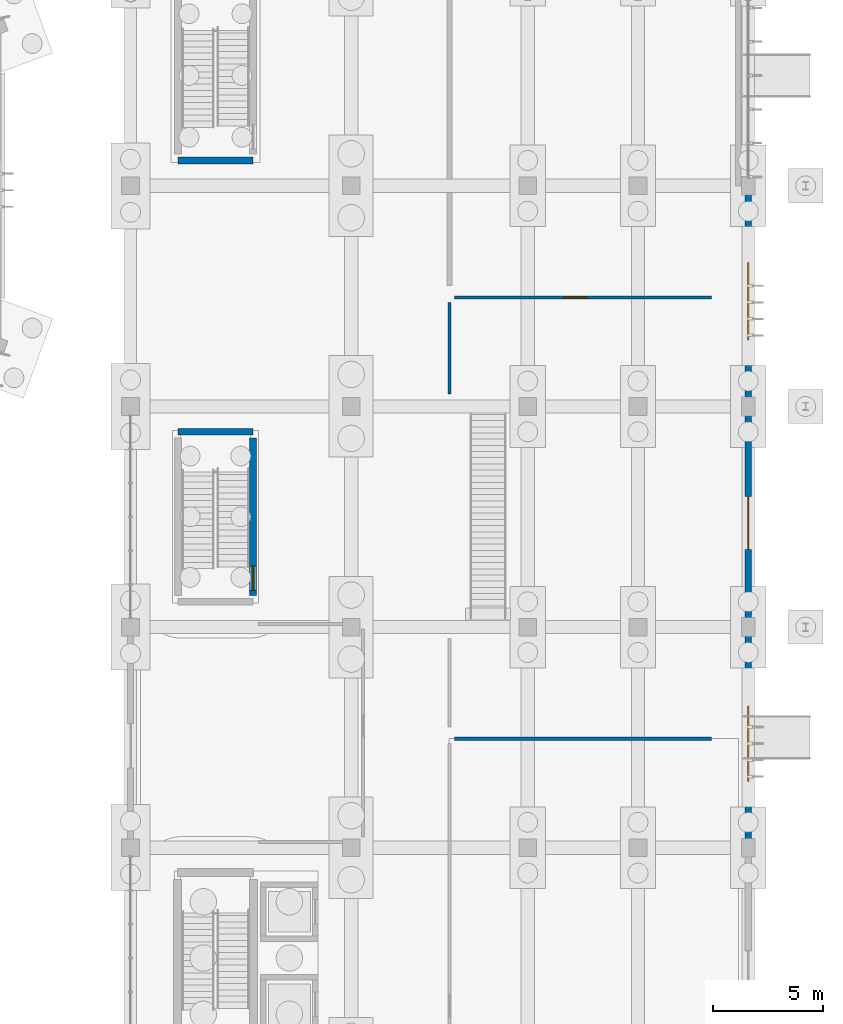
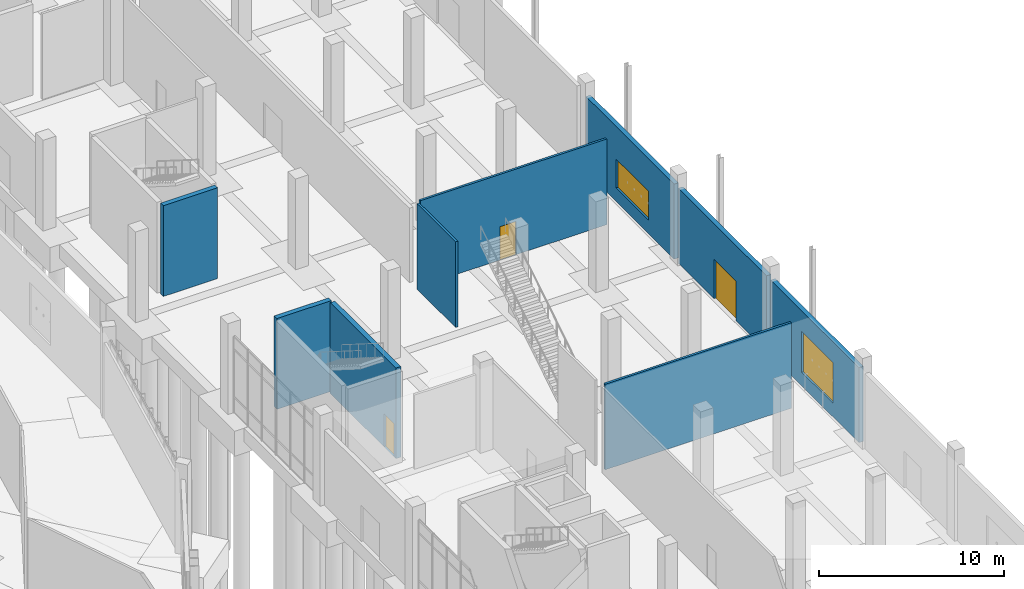
# One storey, part 89 of 140: 9 walls, 3 doors, 2 windows, 5 openings.
"""IFC4 building model written with IfcOpenShell, lengths in metres."""

from ifc_helpers import new_model, si_unit, direction, frame, frame_2d, origin, place, context, subcontext, project, spatial, rectangle, extrude, material, layer, layer_set, type_object, element, fill, save


model = new_model("IFC4")

# Units and contexts
model_context = context("Model", 3, precision=1e-05, world=origin(), true_north=direction((0.0, 1.0)))
body_context = subcontext(model_context, "Body", "Model", "MODEL_VIEW")
ifc_project = project(units=[si_unit("LENGTHUNIT", "METRE"), si_unit("AREAUNIT", "SQUARE_METRE"), si_unit("VOLUMEUNIT", "CUBIC_METRE"), si_unit("PLANEANGLEUNIT", "RADIAN"), si_unit("MASSUNIT", "GRAM", prefix="KILO")], contexts=[model_context])

# Site, building, storey
site_placement = place(None, origin())
site = spatial("IfcSite", under=ifc_project, at=site_placement, CompositionType="ELEMENT")
building_placement = place(site_placement, origin())
building = spatial("IfcBuilding", under=site, at=building_placement, Name="Corvandel Quay Wholesale Market", CompositionType="ELEMENT")
storey_placement = place(building_placement, origin())
storey = spatial("IfcBuildingStorey", under=building, at=storey_placement, Name="L00", CompositionType="ELEMENT", Elevation=0.0)

# Wall, opening, window
ifc_material_1 = material(Name="Buff-pigmented precast concrete C45/55", Category="concrete")
ifc_layer_1 = layer(ifc_material_1, 0.280029296875)
ifc_layer_set_1 = layer_set([ifc_layer_1], Name="Buff-pigmented precast concrete C45/55")
wall_type_1 = type_object("IfcWallType", Name="Colonnade Spandrel Precast Wall EW07 280", PredefinedType="SOLIDWALL", material=ifc_layer_set_1)
wall_1_placement = place(storey_placement, frame((248.0, 30.219970703125, 0.0), z_axis=(0.0, 0.0, 1.0), x_axis=(0.0, 1.0, 0.0)))
wall_1 = element("IfcWall", 1, at=wall_1_placement, inside=storey, type_object=wall_type_1, Name="Exterior Wall EW-0333", PredefinedType="SOLIDWALL", context=body_context, shape_type="SweptSolid", body=[
    extrude(rectangle(XDim=9.56005859375, YDim=0.280029296875, at=frame_2d((4.780029296875, 0.0))), origin(), (0.0, 0.0, 1.0), 4.9599609375),
])
opening_1_placement = place(wall_1_placement, frame((2.800048828125, 0.0, 0.89990234375)))
opening_1 = element("IfcOpeningElement", 2, at=opening_1_placement, cuts=wall_1, Name="Opening L00-W077", PredefinedType="OPENING", context=body_context, shape_type="SweptSolid", body=[
    extrude(rectangle(XDim=3.39990234375, YDim=2.699951171875, at=frame_2d((1.699951171875, 1.35009765625))), frame((0.0, 0.14990234375, 0.0), z_axis=(0.0, -1.0, 0.0), x_axis=(1.0, 0.0, 0.0)), (0.0, 0.0, 1.0), 0.300048828125),
])
ifc_material_2 = material(Name="Thermally broken bronze anodised aluminium and solar-control low-E double glazing", Category="aluminium")
window_type_1 = type_object("IfcWindowType", Name="Waterfront Cafe Picture Window WN17 3400x2700", PartitioningType="SINGLE_PANEL", PredefinedType="WINDOW", material=ifc_material_2)
window_1_placement = place(opening_1_placement, origin())
window_1 = element("IfcWindow", 3, at=window_1_placement, inside=storey, type_object=window_type_1, Name="Window L00-W077", OverallHeight=2.699951171875, OverallWidth=3.39990234375, PartitioningType="SINGLE_PANEL", PredefinedType="WINDOW", context=body_context, shape_type="SweptSolid", body=[
    extrude(rectangle(XDim=3.39990234375, YDim=2.699951171875, at=frame_2d((1.699951171875, 1.35009765625))), frame((0.0, 0.030029296875, 0.0), z_axis=(0.0, -1.0, 0.0), x_axis=(1.0, 0.0, 0.0)), (0.0, 0.0, 1.0), 0.06005859375),
])
fill(opening_1, window_1)

# Wall, opening, door
wall_2_placement = place(storey_placement, frame((248.0, 40.219970703125, 0.0), z_axis=(0.0, 0.0, 1.0), x_axis=(0.0, 1.0, 0.0)))
wall_2 = element("IfcWall", 4, at=wall_2_placement, inside=storey, type_object=wall_type_1, Name="Exterior Wall EW-0335", PredefinedType="SOLIDWALL", context=body_context, shape_type="SweptSolid", body=[
    extrude(rectangle(XDim=9.56005859375, YDim=0.280029296875, at=frame_2d((4.780029296875, 0.0))), origin(), (0.0, 0.0, 1.0), 4.9599609375),
])
opening_2_placement = place(wall_2_placement, frame((3.300048828125, 0.0, 0.0)))
opening_2 = element("IfcOpeningElement", 5, at=opening_2_placement, cuts=wall_2, Name="Opening L00-D052", PredefinedType="OPENING", context=body_context, shape_type="SweptSolid", body=[
    extrude(rectangle(XDim=2.39990234375, YDim=2.60009765625, at=frame_2d((1.199951171875, 1.300048828125))), frame((0.0, 0.14990234375, 0.0), z_axis=(0.0, -1.0, 0.0), x_axis=(1.0, 0.0, 0.0)), (0.0, 0.0, 1.0), 0.300048828125),
])
ifc_material_3 = material(Name="Bronze anodised aluminium and laminated glass", Category="aluminium")
door_type_1 = type_object("IfcDoorType", Name="Main Market Double Entrance Door ED01 2400x2600", OperationType="DOUBLE_DOOR_SINGLE_SWING", PredefinedType="DOOR", material=ifc_material_3)
door_1_placement = place(opening_2_placement, origin())
door_1 = element("IfcDoor", 6, at=door_1_placement, inside=storey, type_object=door_type_1, Name="Promenade Entrance 40", OperationType="DOUBLE_DOOR_SINGLE_SWING", OverallHeight=2.60009765625, OverallWidth=2.39990234375, PredefinedType="DOOR", context=body_context, shape_type="SweptSolid", body=[
    extrude(rectangle(XDim=2.39990234375, YDim=2.60009765625, at=frame_2d((1.199951171875, 1.300048828125))), frame((0.0, 0.02490234375, 0.0), z_axis=(0.0, -1.0, 0.0), x_axis=(1.0, 0.0, 0.0)), (0.0, 0.0, 1.0), 0.050048828125),
])
fill(opening_2, door_1)

# Wall, opening, window
wall_3_placement = place(storey_placement, frame((248.0, 50.219970703125, 0.0), z_axis=(0.0, 0.0, 1.0), x_axis=(0.0, 1.0, 0.0)))
wall_3 = element("IfcWall", 7, at=wall_3_placement, inside=storey, type_object=wall_type_1, Name="Exterior Wall EW-0336", PredefinedType="SOLIDWALL", context=body_context, shape_type="SweptSolid", body=[
    extrude(rectangle(XDim=9.56005859375, YDim=0.280029296875, at=frame_2d((4.780029296875, 0.0))), origin(), (0.0, 0.0, 1.0), 4.9599609375),
])
opening_3_placement = place(wall_3_placement, frame((2.800048828125, 0.0, 0.89990234375)))
opening_3 = element("IfcOpeningElement", 8, at=opening_3_placement, cuts=wall_3, Name="Opening L00-W078", PredefinedType="OPENING", context=body_context, shape_type="SweptSolid", body=[
    extrude(rectangle(XDim=3.5, YDim=1.89990234375, at=frame_2d((1.75, 0.949951171875))), frame((0.0, 0.14990234375, 0.0), z_axis=(0.0, -1.0, 0.0), x_axis=(1.0, 0.0, 0.0)), (0.0, 0.0, 1.0), 0.300048828125),
])
window_type_2 = type_object("IfcWindowType", Name="Harbour Foyer Clerestory WN30 3500x1900", PartitioningType="SINGLE_PANEL", PredefinedType="WINDOW", material=ifc_material_2)
window_2_placement = place(opening_3_placement, origin())
window_2 = element("IfcWindow", 9, at=window_2_placement, inside=storey, type_object=window_type_2, Name="Window L00-W078", OverallHeight=1.89990234375, OverallWidth=3.5, PartitioningType="SINGLE_PANEL", PredefinedType="WINDOW", context=body_context, shape_type="SweptSolid", body=[
    extrude(rectangle(XDim=3.5, YDim=1.89990234375, at=frame_2d((1.75, 0.949951171875))), frame((0.0, 0.030029296875, 0.0), z_axis=(0.0, -1.0, 0.0), x_axis=(1.0, 0.0, 0.0)), (0.0, 0.0, 1.0), 0.06005859375),
])
fill(opening_3, window_2)

# Walls
ifc_material_4 = material(Name="Double-layer acoustic gypsum stud partition")
ifc_layer_2 = layer(ifc_material_4, 0.139892578125)
ifc_layer_set_2 = layer_set([ifc_layer_2], Name="Double-layer acoustic gypsum stud partition")
wall_type_2 = type_object("IfcWallType", Name="Office Acoustic Partition PT07 140", PredefinedType="PARTITIONING", material=ifc_layer_set_2)
wall_4_placement = place(storey_placement, frame((234.679931640625, 34.93994140625, 0.0), z_axis=(0.0, 0.0, 1.0), x_axis=(1.0, 0.0, 0.0)))
element("IfcWall", 10, at=wall_4_placement, inside=storey, type_object=wall_type_2, Name="Interior Wall IW-0852", PredefinedType="PARTITIONING", context=body_context, shape_type="SweptSolid", body=[
    extrude(rectangle(XDim=11.650146484375, YDim=0.139892578125, at=frame_2d((5.8251953125, 0.0))), origin(), (0.0, 0.0, 1.0), 5.659912109375),
])
wall_5_placement = place(storey_placement, frame((234.4599609375, 50.556396484375, 0.0), z_axis=(0.0, 0.0, 1.0), x_axis=(0.0, 1.0, 0.0)))
element("IfcWall", 11, at=wall_5_placement, inside=storey, type_object=wall_type_2, Name="Interior Wall IW-0854", PredefinedType="PARTITIONING", context=body_context, shape_type="SweptSolid", body=[
    extrude(rectangle(XDim=4.16357421875, YDim=0.139892578125, at=frame_2d((2.081787109375, 0.0))), origin(), (0.0, 0.0, 1.0), 5.659912109375),
])

# Wall, opening, door
wall_6_placement = place(storey_placement, frame((234.679931640625, 54.93994140625, 0.0), z_axis=(0.0, 0.0, 1.0), x_axis=(1.0, 0.0, 0.0)))
wall_6 = element("IfcWall", 12, at=wall_6_placement, inside=storey, type_object=wall_type_2, Name="Interior Wall IW-0855", PredefinedType="PARTITIONING", context=body_context, shape_type="SweptSolid", body=[
    extrude(rectangle(XDim=11.650146484375, YDim=0.139892578125, at=frame_2d((5.8251953125, 0.0))), origin(), (0.0, 0.0, 1.0), 5.659912109375),
])
opening_4_placement = place(wall_6_placement, frame((4.97509765625, 0.0, 0.0)))
opening_4 = element("IfcOpeningElement", 13, at=opening_4_placement, cuts=wall_6, Name="Opening L00-D123", PredefinedType="OPENING", context=body_context, shape_type="SweptSolid", body=[
    extrude(rectangle(XDim=1.0, YDim=2.199951171875, at=frame_2d((0.5, 1.10009765625))), frame((0.0, 0.079833984375, 0.0), z_axis=(0.0, -1.0, 0.0), x_axis=(1.0, 0.0, 0.0)), (0.0, 0.0, 1.0), 0.159912109375),
])
ifc_material_5 = material(Name="Stained oak solid-core acoustic timber", Category="wood")
door_type_2 = type_object("IfcDoorType", Name="Office Entry Door ID09 1000x2200L", OperationType="SINGLE_SWING_LEFT", PredefinedType="DOOR", material=ifc_material_5)
door_2_placement = place(opening_4_placement, origin())
door_2 = element("IfcDoor", 14, at=door_2_placement, inside=storey, type_object=door_type_2, Name="Waterfront Market Entrance Foyer Door", OperationType="SINGLE_SWING_LEFT", OverallHeight=2.199951171875, OverallWidth=1.0, PredefinedType="DOOR", context=body_context, shape_type="SweptSolid", body=[
    extrude(rectangle(XDim=1.0, YDim=2.199951171875, at=frame_2d((0.5, 1.10009765625))), frame((0.0, 0.02490234375, 0.0), z_axis=(0.0, -1.0, 0.0), x_axis=(1.0, 0.0, 0.0)), (0.0, 0.0, 1.0), 0.050048828125),
])
fill(opening_4, door_2)

# Wall
ifc_material_6 = material(Name="Concrete C40/50", Category="concrete")
ifc_layer_3 = layer(ifc_material_6, 0.300048828125)
ifc_layer_set_3 = layer_set([ifc_layer_3], Name="Concrete C40/50")
wall_type_3 = type_object("IfcWallType", Name="Stair Shaft Shear Wall SW02 300", PredefinedType="SHEAR", material=ifc_layer_set_3)
wall_7_placement = place(storey_placement, frame((222.14990234375, 48.85009765625, 0.0), z_axis=(0.0, 0.0, 1.0), x_axis=(1.0, 0.0, 0.0)))
element("IfcWall", 15, at=wall_7_placement, inside=storey, type_object=wall_type_3, Name="Shear Wall IW-0178", PredefinedType="SHEAR", context=body_context, shape_type="SweptSolid", body=[
    extrude(rectangle(XDim=3.400146484375, YDim=0.300048828125, at=frame_2d((1.7001953125, 0.0))), origin(), (0.0, 0.0, 1.0), 6.0),
])

# Wall, opening, door
wall_8_placement = place(storey_placement, frame((225.550048828125, 41.43994140625, 0.0), z_axis=(0.0, 0.0, 1.0), x_axis=(0.0, 1.0, 0.0)))
wall_8 = element("IfcWall", 16, at=wall_8_placement, inside=storey, type_object=wall_type_3, Name="Shear Wall IW-0180", PredefinedType="SHEAR", context=body_context, shape_type="SweptSolid", body=[
    extrude(rectangle(XDim=7.1201171875, YDim=0.300048828125, at=frame_2d((3.56005859375, 0.0))), origin(), (0.0, 0.0, 1.0), 6.0),
])
opening_5_placement = place(wall_8_placement, frame((0.219970703125, 0.0, 0.0)))
opening_5 = element("IfcOpeningElement", 17, at=opening_5_placement, cuts=wall_8, Name="Opening L00-D072", PredefinedType="OPENING", context=body_context, shape_type="SweptSolid", body=[
    extrude(rectangle(XDim=1.10009765625, YDim=2.199951171875, at=frame_2d((0.550048828125, 1.10009765625))), frame((0.0, 0.159912109375, 0.0), z_axis=(0.0, -1.0, 0.0), x_axis=(1.0, 0.0, 0.0)), (0.0, 0.0, 1.0), 0.320068359375),
])
ifc_material_7 = material(Name="Galvanised fire-rated hollow steel", Category="steel")
door_type_3 = type_object("IfcDoorType", Name="Exit Stair Fire Door ID01 1100x2200L", OperationType="SINGLE_SWING_LEFT", PredefinedType="DOOR", material=ifc_material_7)
door_3_placement = place(opening_5_placement, origin())
door_3 = element("IfcDoor", 18, at=door_3_placement, inside=storey, type_object=door_type_3, Name="Exit Stair Door SH17-L00", OperationType="SINGLE_SWING_LEFT", OverallHeight=2.199951171875, OverallWidth=1.10009765625, PredefinedType="DOOR", context=body_context, shape_type="SweptSolid", body=[
    extrude(rectangle(XDim=1.10009765625, YDim=2.199951171875, at=frame_2d((0.550048828125, 1.10009765625))), frame((0.0, 0.02490234375, 0.0), z_axis=(0.0, -1.0, 0.0), x_axis=(1.0, 0.0, 0.0)), (0.0, 0.0, 1.0), 0.050048828125),
])
fill(opening_5, door_3)

# Wall
wall_9_placement = place(storey_placement, frame((222.14990234375, 61.14990234375, 0.0), z_axis=(0.0, 0.0, 1.0), x_axis=(1.0, 0.0, 0.0)))
element("IfcWall", 19, at=wall_9_placement, inside=storey, type_object=wall_type_3, Name="Shear Wall IW-0193", PredefinedType="SHEAR", context=body_context, shape_type="SweptSolid", body=[
    extrude(rectangle(XDim=3.400146484375, YDim=0.300048828125, at=frame_2d((1.7001953125, 0.0))), origin(), (0.0, 0.0, 1.0), 6.0),
])

save(model, "model.ifc")
